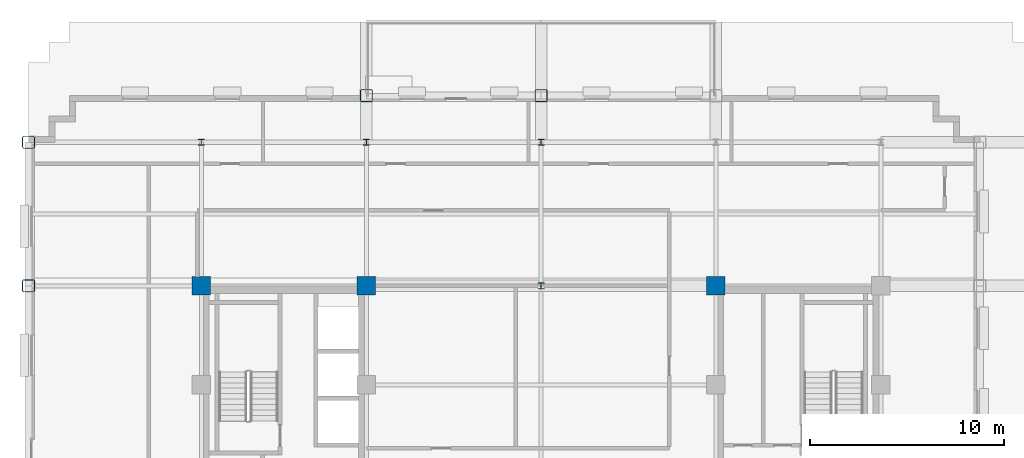
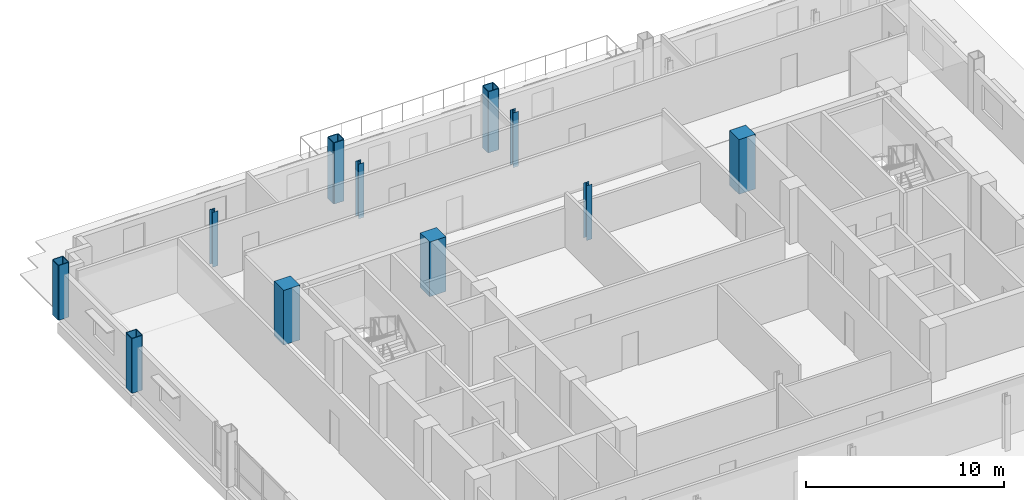
# One storey, part 3 of 17: 11 columns.
"""IFC4 building model written with IfcOpenShell, lengths in metres."""

from ifc_helpers import new_model, si_unit, direction, frame, origin, origin_2d, place, context, subcontext, project, spatial, rectangle, hollow_rectangle, i_section, extrude, material, material_profile, profile_set, type_object, element, save


model = new_model("IFC4")

# Units and contexts
model_context = context("Model", 3, precision=1e-05, world=origin(), true_north=direction((0.0, 1.0)))
body_context = subcontext(model_context, "Body", "Model", "MODEL_VIEW")
ifc_project = project(units=[si_unit("LENGTHUNIT", "METRE"), si_unit("AREAUNIT", "SQUARE_METRE"), si_unit("VOLUMEUNIT", "CUBIC_METRE"), si_unit("PLANEANGLEUNIT", "RADIAN"), si_unit("MASSUNIT", "GRAM", prefix="KILO")], contexts=[model_context])

# Site, building, storey
site_placement = place(None, origin())
site = spatial("IfcSite", under=ifc_project, at=site_placement, CompositionType="ELEMENT")
building_placement = place(site_placement, origin())
building = spatial("IfcBuilding", under=site, at=building_placement, Name="Nuvemarco Arch Tower", CompositionType="ELEMENT")
storey_placement = place(building_placement, frame((0.0, 0.0, 167.64990234375)))
storey = spatial("IfcBuildingStorey", under=building, at=storey_placement, Name="L44", CompositionType="ELEMENT", Elevation=167.64990234375)

# Columns
ifc_material_1 = material(Name="Concrete C50/60", Category="concrete")
ifc_material_profile_1 = material_profile(ifc_material_1, rectangle(XDim=0.949951171875, YDim=0.949951171875, at=origin_2d()), Name="RC-COL-950x950")
ifc_profile_set_1 = profile_set([ifc_material_profile_1], Name="Concrete C50/60")
column_type_1 = type_object("IfcColumnType", Name="COL-CORE-950", PredefinedType="COLUMN", material=ifc_profile_set_1)
for number, where, z_axis, x_axis, name in (
    (1, (-17.5, 9.60009765625, 0.0), (0.0, 0.0, 1.0), (1.0, 0.0, 0.0), "L44 column CC_-17.5_+9.6"),
    (2, (-9.0, 9.60009765625, 0.0), (0.0, 0.0, 1.0), (1.0, 0.0, 0.0), "L44 column CC_-9.0_+9.6"),
    (3, (9.0, 9.60009765625, 0.0), (0.0, 0.0, 1.0), (1.0, 0.0, 0.0), "L44 column CC_+9.0_+9.6"),
):
    element("IfcColumn", number, at=place(storey_placement, frame(where, z_axis=z_axis, x_axis=x_axis)), inside=storey, type_object=column_type_1, Name=name, PredefinedType="COLUMN", context=body_context, shape_type="SweptSolid", body=[
        extrude(rectangle(XDim=0.949951171875, YDim=0.949951171875, at=origin_2d()), origin(), (0.0, 0.0, 1.0), 3.3701171875),
    ])
ifc_material_2 = material(Name="Steel S355", Category="steel")
ifc_material_profile_2 = material_profile(ifc_material_2, hollow_rectangle(XDim=0.64990234375, YDim=0.64990234375, WallThickness=0.0400390625, InnerFilletRadius=0.0400390625, OuterFilletRadius=0.080078125, at=origin_2d()), Name="SHS650x650x40")
ifc_profile_set_2 = profile_set([ifc_material_profile_2], Name="Steel S355")
column_type_2 = type_object("IfcColumnType", Name="COL-EXO-650", PredefinedType="COLUMN", material=ifc_profile_set_2)
for number, where, z_axis, x_axis, name in (
    (4, (-26.39990234375, 9.60009765625, 0.0), (0.0, 0.0, 1.0), (1.0, 0.0, 0.0), "L44 column CX_-26.4_+9.6"),
    (5, (-26.39990234375, 17.0, 0.0), (0.0, 0.0, 1.0), (1.0, 0.0, 0.0), "L44 column CX_-26.4_+17.0"),
):
    element("IfcColumn", number, at=place(storey_placement, frame(where, z_axis=z_axis, x_axis=x_axis)), inside=storey, type_object=column_type_2, Name=name, PredefinedType="COLUMN", context=body_context, shape_type="SweptSolid", body=[
        extrude(hollow_rectangle(XDim=0.64990234375, YDim=0.64990234375, WallThickness=0.0400390625, InnerFilletRadius=0.0400390625, OuterFilletRadius=0.080078125, at=origin_2d()), origin(), (0.0, 0.0, 1.0), 3.3701171875),
    ])
for number, where, z_axis, x_axis, name in (
    (6, (-9.0, 19.39990234375, -0.39990234375), (0.0, 0.0, 1.0), (1.0, 0.0, 0.0), "L44 column CY_-9.0_+19.4"),
    (7, (0.0, 19.39990234375, -0.39990234375), (0.0, 0.0, 1.0), (1.0, 0.0, 0.0), "L44 column CY_+0.0_+19.4"),
):
    element("IfcColumn", number, at=place(storey_placement, frame(where, z_axis=z_axis, x_axis=x_axis)), inside=storey, type_object=column_type_2, Name=name, PredefinedType="COLUMN", context=body_context, shape_type="SweptSolid", body=[
        extrude(hollow_rectangle(XDim=0.64990234375, YDim=0.64990234375, WallThickness=0.0400390625, InnerFilletRadius=0.0400390625, OuterFilletRadius=0.080078125, at=origin_2d()), origin(), (0.0, 0.0, 1.0), 3.77001953125),
    ])
ifc_material_profile_3 = material_profile(ifc_material_2, i_section(OverallWidth=0.31005859375, OverallDepth=0.31005859375, WebThickness=0.015380859375, FlangeThickness=0.015380859375, FilletRadius=0.014892578125, at=origin_2d()), Name="HP310x110")
ifc_profile_set_3 = profile_set([ifc_material_profile_3], Name="Steel S355")
column_type_3 = type_object("IfcColumnType", Name="COL-STL-HP310", PredefinedType="COLUMN", material=ifc_profile_set_3)
for number, where, z_axis, x_axis, name in (
    (8, (0.0, 9.60009765625, 0.0), (0.0, 0.0, 1.0), (1.0, 0.0, 0.0), "L44 column CI_+0.0_+9.6"),
    (9, (0.0, 17.0, 0.0), (0.0, 0.0, 1.0), (1.0, 0.0, 0.0), "L44 column CI_+0.0_+17.0"),
    (10, (-17.5, 17.0, 0.0), (0.0, 0.0, 1.0), (1.0, 0.0, 0.0), "L44 column CI_-17.5_+17.0"),
    (11, (-9.0, 17.0, 0.0), (0.0, 0.0, 1.0), (1.0, 0.0, 0.0), "L44 column CI_-9.0_+17.0"),
):
    element("IfcColumn", number, at=place(storey_placement, frame(where, z_axis=z_axis, x_axis=x_axis)), inside=storey, type_object=column_type_3, Name=name, PredefinedType="COLUMN", context=body_context, shape_type="SweptSolid", body=[
        extrude(i_section(OverallWidth=0.31005859375, OverallDepth=0.31005859375, WebThickness=0.015380859375, FlangeThickness=0.015380859375, FilletRadius=0.014892578125, at=origin_2d()), origin(), (0.0, 0.0, 1.0), 3.3701171875),
    ])

save(model, "model.ifc")
